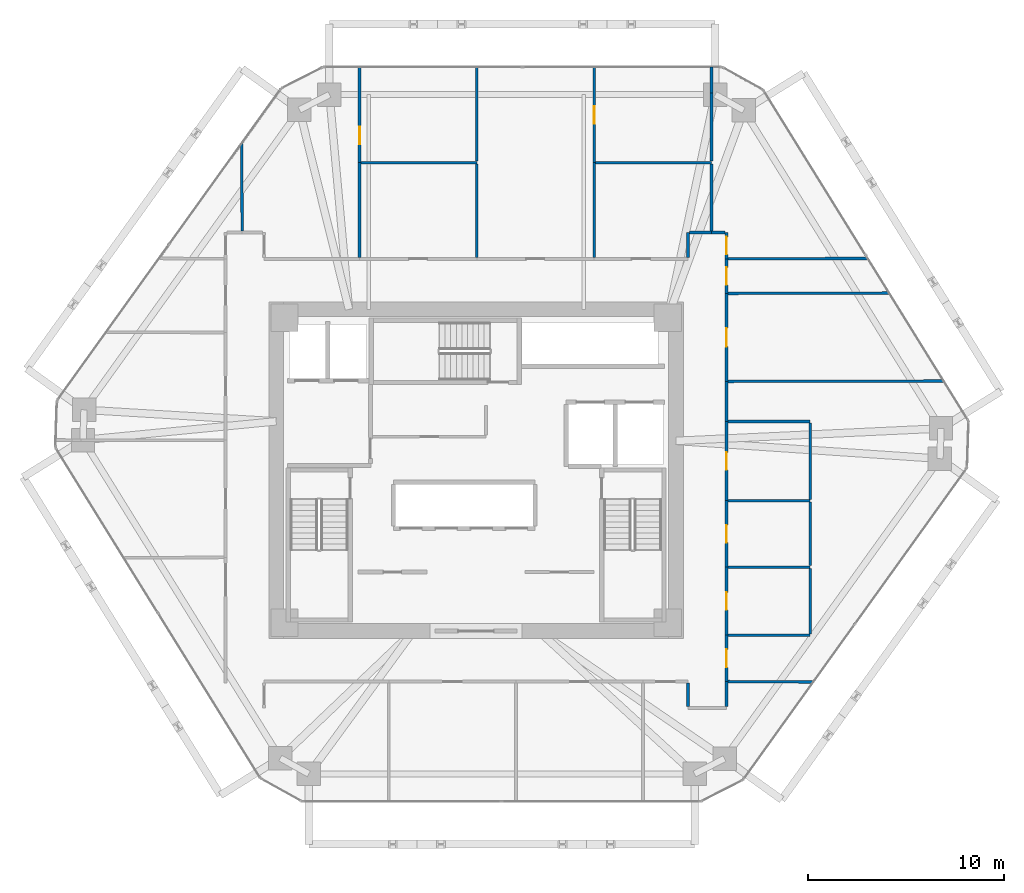
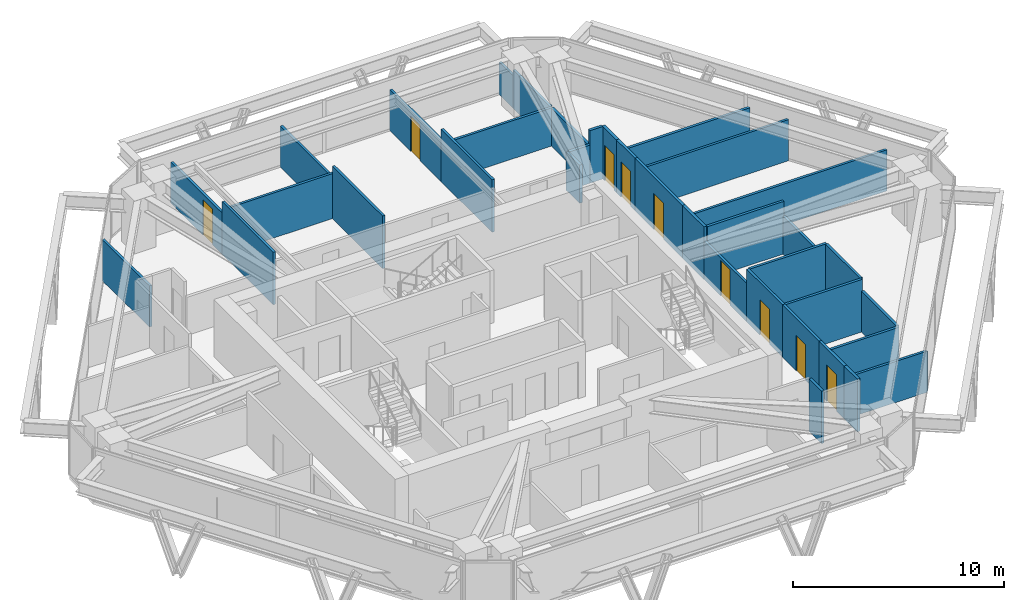
# One storey, part 12 of 14: 36 walls, 9 doors, 9 openings.
"""IFC4 building model written with IfcOpenShell, lengths in metres."""

from ifc_helpers import new_model, si_unit, direction, frame, frame_2d, origin, place, context, subcontext, project, spatial, rectangle, extrude, source, transform, mapped, material, layer, layer_set, type_object, type_shapes, element, fill, save


model = new_model("IFC4")

# Units and contexts
model_context = context("Model", 3, precision=1e-05, world=origin(), true_north=direction((0.0, 1.0)))
body_context = subcontext(model_context, "Body", "Model", "MODEL_VIEW")
ifc_project = project(units=[si_unit("LENGTHUNIT", "METRE"), si_unit("AREAUNIT", "SQUARE_METRE"), si_unit("VOLUMEUNIT", "CUBIC_METRE"), si_unit("PLANEANGLEUNIT", "RADIAN"), si_unit("MASSUNIT", "GRAM", prefix="KILO")], contexts=[model_context])

# Site, building, storey
site_placement = place(None, origin())
site = spatial("IfcSite", under=ifc_project, at=site_placement, CompositionType="ELEMENT")
building_placement = place(site_placement, origin())
building = spatial("IfcBuilding", under=site, at=building_placement, Name="Durnholm Broadcast Tower", CompositionType="ELEMENT")
storey_placement = place(building_placement, frame((0.0, 0.0, 114.0)))
storey = spatial("IfcBuildingStorey", under=building, at=storey_placement, Name="L30", CompositionType="ELEMENT", Elevation=114.0)

# Walls
ifc_material_1 = material(Name="Gypsum Metal Stud Partition", Category="concrete")
ifc_layer_1 = layer(ifc_material_1, 0.135009765625)
ifc_layer_set_1 = layer_set([ifc_layer_1], Name="Gypsum Metal Stud Partition")
wall_type_1 = type_object("IfcWallType", Name="WALL-PART-135", PredefinedType="PARTITIONING", material=ifc_layer_set_1)
wall_1_placement = place(storey_placement, frame((-11.992431640625, 16.706787109375, 0.0), z_axis=(0.0, 0.0, 1.0), x_axis=(0.007103645899, -0.999974768789, 0.0)))
element("IfcWall", 1, at=wall_1_placement, inside=storey, type_object=wall_type_1, Name="L30 room dividing partition 7.8", PredefinedType="PARTITIONING", context=body_context, shape_type="SweptSolid", body=[
    extrude(rectangle(XDim=4.4677734375, YDim=0.135009765625, at=frame_2d((2.23388671875, 0.0))), origin(), (0.0, 0.0, 1.0), 2.3798828125),
])
wall_2_placement = place(storey_placement, frame((-5.9599609375, 15.73291015625, 0.0), z_axis=(0.0, 0.0, 1.0), x_axis=(0.0, -1.0, 0.0)))
element("IfcWall", 2, at=wall_2_placement, inside=storey, type_object=wall_type_1, Name="L30 room dividing partition 8.9", PredefinedType="PARTITIONING", context=body_context, shape_type="SweptSolid", body=[
    extrude(rectangle(XDim=4.843994140625, YDim=0.135009765625, at=frame_2d((2.421875, 0.0))), origin(), (0.0, 0.0, 1.0), 3.044921875),
])

# Wall, opening, door
wall_3_placement = place(storey_placement, frame((-5.9599609375, 20.614990234375, 0.0), z_axis=(0.0, 0.0, 1.0), x_axis=(0.0, -1.0, 0.0)))
wall_3 = element("IfcWall", 3, at=wall_3_placement, inside=storey, type_object=wall_type_1, Name="L30 room dividing partition 8.10", PredefinedType="PARTITIONING", context=body_context, shape_type="SweptSolid", body=[
    extrude(rectangle(XDim=4.882080078125, YDim=0.135009765625, at=frame_2d((2.44091796875, 0.0))), origin(), (0.0, 0.0, 1.0), 2.3798828125),
])
opening_1_placement = place(wall_3_placement, frame((3.050048828125, 0.0, 0.0)))
opening_1 = element("IfcOpeningElement", 4, at=opening_1_placement, cuts=wall_3, Name="Opening DW-90L", PredefinedType="OPENING", context=body_context, shape_type="SweptSolid", body=[
    extrude(rectangle(XDim=0.89990234375, YDim=2.050048828125, at=frame_2d((0.449951171875, 1.02490234375))), frame((0.0, 0.07763671875, 0.0), z_axis=(0.0, -1.0, 0.0), x_axis=(1.0, 0.0, 0.0)), (0.0, 0.0, 1.0), 0.155029296875),
])
ifc_material_2 = material(Name="Laminate Restroom Door", Category="steel")
ifc_layer_2 = layer(ifc_material_2, 0.050048828125)
ifc_layer_set_2 = layer_set([ifc_layer_2], Name="Laminate Restroom Door")
door_type_1 = type_object("IfcDoorType", Name="DOOR-WC-900L", OperationType="NOTDEFINED", PredefinedType="DOOR", material=ifc_layer_set_2)
shared_shape_1 = source(origin(), body_context, "Body", "SweptSolid", [
    extrude(rectangle(XDim=0.89990234375, YDim=2.050048828125, at=frame_2d((0.449951171875, 1.02490234375))), frame((0.0, 0.02490234375, 0.0), z_axis=(0.0, -1.0, 0.0), x_axis=(1.0, 0.0, 0.0)), (0.0, 0.0, 1.0), 0.050048828125),
])
type_shapes(door_type_1, [shared_shape_1])
door_1_placement = place(opening_1_placement, origin())
door_1 = element("IfcDoor", 5, at=door_1_placement, inside=storey, type_object=door_type_1, Name="L30 Sales Presentation Hall connecting door", OperationType="SINGLE_SWING_LEFT", OverallHeight=2.050048828125, OverallWidth=0.89990234375, PredefinedType="DOOR", context=body_context, shape_type="MappedRepresentation", body=[
    mapped(shared_shape_1, transform((0.0, 0.0, 0.0), x_axis=(1.0, 0.0, 0.0), y_axis=(0.0, 1.0, 0.0), z_axis=(0.0, 0.0, 1.0), scale=1.0)),
])
fill(opening_1, door_1)

# Walls
wall_4_placement = place(storey_placement, frame((-5.888427734375, 15.73291015625, 0.0), z_axis=(0.0, 0.0, 1.0), x_axis=(1.0, 0.0, 0.0)))
element("IfcWall", 6, at=wall_4_placement, inside=storey, type_object=wall_type_1, Name="L30 room dividing partition 9.10", PredefinedType="PARTITIONING", context=body_context, shape_type="SweptSolid", body=[
    extrude(rectangle(XDim=5.928466796875, YDim=0.135009765625, at=frame_2d((2.96435546875, 0.0))), origin(), (0.0, 0.0, 1.0), 2.6083984375),
])
wall_5_placement = place(storey_placement, frame((0.0400390625, 15.66162109375, 0.0), z_axis=(0.0, 0.0, 1.0), x_axis=(0.0, -1.0, 0.0)))
element("IfcWall", 7, at=wall_5_placement, inside=storey, type_object=wall_type_1, Name="L30 room dividing partition 9.11", PredefinedType="PARTITIONING", context=body_context, shape_type="SweptSolid", body=[
    extrude(rectangle(XDim=4.772705078125, YDim=0.135009765625, at=frame_2d((2.38623046875, 0.0))), origin(), (0.0, 0.0, 1.0), 3.044921875),
])
wall_6_placement = place(storey_placement, frame((0.0400390625, 20.614990234375, 0.0), z_axis=(0.0, 0.0, 1.0), x_axis=(0.0, -1.0, 0.0)))
element("IfcWall", 8, at=wall_6_placement, inside=storey, type_object=wall_type_1, Name="L30 room dividing partition 10.11", PredefinedType="PARTITIONING", context=body_context, shape_type="SweptSolid", body=[
    extrude(rectangle(XDim=4.810546875, YDim=0.135009765625, at=frame_2d((2.4052734375, 0.0))), origin(), (0.0, 0.0, 1.0), 2.3798828125),
])
wall_7_placement = place(storey_placement, frame((6.0400390625, 15.73291015625, 0.0), z_axis=(0.0, 0.0, 1.0), x_axis=(0.0, -1.0, 0.0)))
element("IfcWall", 9, at=wall_7_placement, inside=storey, type_object=wall_type_1, Name="L30 room dividing partition 11.12", PredefinedType="PARTITIONING", context=body_context, shape_type="SweptSolid", body=[
    extrude(rectangle(XDim=4.843994140625, YDim=0.135009765625, at=frame_2d((2.421875, 0.0))), origin(), (0.0, 0.0, 1.0), 3.044921875),
])

# Wall, opening, door
wall_8_placement = place(storey_placement, frame((6.0400390625, 20.614990234375, 0.0), z_axis=(0.0, 0.0, 1.0), x_axis=(0.0, -1.0, 0.0)))
wall_8 = element("IfcWall", 10, at=wall_8_placement, inside=storey, type_object=wall_type_1, Name="L30 room dividing partition 11.13", PredefinedType="PARTITIONING", context=body_context, shape_type="SweptSolid", body=[
    extrude(rectangle(XDim=4.882080078125, YDim=0.135009765625, at=frame_2d((2.44091796875, 0.0))), origin(), (0.0, 0.0, 1.0), 2.3798828125),
])
opening_2_placement = place(wall_8_placement, frame((1.990966796875, 0.0, 0.0)))
opening_2 = element("IfcOpeningElement", 11, at=opening_2_placement, cuts=wall_8, Name="Opening DW-90L", PredefinedType="OPENING", context=body_context, shape_type="SweptSolid", body=[
    extrude(rectangle(XDim=0.89990234375, YDim=2.050048828125, at=frame_2d((0.449951171875, 1.02490234375))), frame((0.0, 0.07763671875, 0.0), z_axis=(0.0, -1.0, 0.0), x_axis=(1.0, 0.0, 0.0)), (0.0, 0.0, 1.0), 0.155029296875),
])
door_2_placement = place(opening_2_placement, origin())
door_2 = element("IfcDoor", 12, at=door_2_placement, inside=storey, type_object=door_type_1, Name="L30 Account Lounge connecting door", OperationType="SINGLE_SWING_LEFT", OverallHeight=2.050048828125, OverallWidth=0.89990234375, PredefinedType="DOOR", context=body_context, shape_type="MappedRepresentation", body=[
    mapped(shared_shape_1, transform((0.0, 0.0, 0.0), x_axis=(1.0, 0.0, 0.0), y_axis=(0.0, 1.0, 0.0), z_axis=(0.0, 0.0, 1.0), scale=1.0)),
])
fill(opening_2, door_2)

# Walls
wall_9_placement = place(storey_placement, frame((6.111572265625, 15.73291015625, 0.0), z_axis=(0.0, 0.0, 1.0), x_axis=(1.0, 0.0, 0.0)))
element("IfcWall", 13, at=wall_9_placement, inside=storey, type_object=wall_type_1, Name="L30 room dividing partition 12.13", PredefinedType="PARTITIONING", context=body_context, shape_type="SweptSolid", body=[
    extrude(rectangle(XDim=5.928466796875, YDim=0.135009765625, at=frame_2d((2.96435546875, 0.0))), origin(), (0.0, 0.0, 1.0), 2.212158203125),
])
wall_10_placement = place(storey_placement, frame((12.0400390625, 15.66162109375, 0.0), z_axis=(0.0, 0.0, 1.0), x_axis=(0.0, -1.0, 0.0)))
element("IfcWall", 14, at=wall_10_placement, inside=storey, type_object=wall_type_1, Name="L30 room dividing partition 12.14", PredefinedType="PARTITIONING", context=body_context, shape_type="SweptSolid", body=[
    extrude(rectangle(XDim=3.422607421875, YDim=0.135009765625, at=frame_2d((1.71142578125, 0.0))), origin(), (0.0, 0.0, 1.0), 2.212158203125),
])
wall_11_placement = place(storey_placement, frame((12.0400390625, 19.299072265625, 0.0), z_axis=(0.0, 0.0, 1.0), x_axis=(0.0, -1.0, 0.0)))
element("IfcWall", 15, at=wall_11_placement, inside=storey, type_object=wall_type_1, Name="L30 room dividing partition 13.14", PredefinedType="PARTITIONING", context=body_context, shape_type="SweptSolid", body=[
    extrude(rectangle(XDim=3.49462890625, YDim=0.135009765625, at=frame_2d((1.747314453125, 0.0))), origin(), (0.0, 0.0, 1.0), 2.212158203125),
])
wall_12_placement = place(storey_placement, frame((12.0400390625, 20.614990234375, 0.0), z_axis=(0.0, 0.0, 1.0), x_axis=(0.0, -1.0, 0.0)))
element("IfcWall", 16, at=wall_12_placement, inside=storey, type_object=wall_type_1, Name="L30 room dividing partition 13.14", PredefinedType="PARTITIONING", context=body_context, shape_type="SweptSolid", body=[
    extrude(rectangle(XDim=1.31591796875, YDim=0.135009765625, at=frame_2d((0.657958984375, 0.0))), origin(), (0.0, 0.0, 1.0), 1.877197265625),
])
wall_13_placement = place(storey_placement, frame((20.03515625, 10.8310546875, 0.0), z_axis=(0.0, 0.0, 1.0), x_axis=(-0.999995783715, -0.002903885812, 0.0)))
element("IfcWall", 17, at=wall_13_placement, inside=storey, type_object=wall_type_1, Name="L30 room dividing partition 14.25", PredefinedType="PARTITIONING", context=body_context, shape_type="SweptSolid", body=[
    extrude(rectangle(XDim=7.146240234375, YDim=0.135009765625, at=frame_2d((3.5732421875, 0.0))), origin(), (0.0, 0.0, 1.0), 2.3798828125),
])
wall_14_placement = place(storey_placement, frame((12.888916015625, -10.810302734375, 0.0), z_axis=(0.0, 0.0, 1.0), x_axis=(0.999986140562, -0.005264853658, 0.0)))
element("IfcWall", 18, at=wall_14_placement, inside=storey, type_object=wall_type_1, Name="L30 room dividing partition 18.23", PredefinedType="PARTITIONING", context=body_context, shape_type="SweptSolid", body=[
    extrude(rectangle(XDim=4.35888671875, YDim=0.135009765625, at=frame_2d((2.179443359375, 0.0))), origin(), (0.0, 0.0, 1.0), 2.3798828125),
])
wall_15_placement = place(storey_placement, frame((12.888916015625, 4.5400390625, 0.0), z_axis=(0.0, 0.0, 1.0), x_axis=(0.999998190037, 0.00190260933, 0.0)))
element("IfcWall", 19, at=wall_15_placement, inside=storey, type_object=wall_type_1, Name="L30 room dividing partition 23.24", PredefinedType="PARTITIONING", context=body_context, shape_type="SweptSolid", body=[
    extrude(rectangle(XDim=11.035400390625, YDim=0.135009765625, at=frame_2d((5.517578125, 0.0))), origin(), (0.0, 0.0, 1.0), 2.3798828125),
])
wall_16_placement = place(storey_placement, frame((12.888916015625, 9.040283203125, 0.0), z_axis=(0.0, 0.0, 1.0), x_axis=(0.999996831927, 0.00251716805, 0.0)))
element("IfcWall", 20, at=wall_16_placement, inside=storey, type_object=wall_type_1, Name="L30 room dividing partition 24.25", PredefinedType="PARTITIONING", context=body_context, shape_type="SweptSolid", body=[
    extrude(rectangle(XDim=8.244140625, YDim=0.135009765625, at=frame_2d((4.1220703125, 0.0))), origin(), (0.0, 0.0, 1.0), 2.3798828125),
])
ifc_material_3 = material(Name="Acoustic Gypsum Stud Partition", Category="concrete")
ifc_layer_3 = layer(ifc_material_3, 0.14990234375)
ifc_layer_set_3 = layer_set([ifc_layer_3], Name="Acoustic Gypsum Stud Partition")
wall_type_2 = type_object("IfcWallType", Name="WALL-PART-150", PredefinedType="PARTITIONING", material=ifc_layer_set_3)
wall_17_placement = place(storey_placement, frame((10.840087890625, 12.159912109375, 0.0), z_axis=(0.0, 0.0, 1.0), x_axis=(0.0, -1.0, 0.0)))
element("IfcWall", 21, at=wall_17_placement, inside=storey, type_object=wall_type_2, Name="L30 Hospitality Kitchen corridor partition", PredefinedType="PARTITIONING", context=body_context, shape_type="SweptSolid", body=[
    extrude(rectangle(XDim=1.27099609375, YDim=0.14990234375, at=frame_2d((0.635498046875, 0.0))), origin(), (0.0, 0.0, 1.0), 2.212158203125),
])
wall_18_placement = place(storey_placement, frame((12.0400390625, 12.159912109375, 0.0), z_axis=(0.0, 0.0, 1.0), x_axis=(-1.0, 0.0, 0.0)))
element("IfcWall", 22, at=wall_18_placement, inside=storey, type_object=wall_type_2, Name="L30 Hospitality Kitchen corridor partition", PredefinedType="PARTITIONING", context=body_context, shape_type="SweptSolid", body=[
    extrude(rectangle(XDim=1.12109375, YDim=0.14990234375, at=frame_2d((0.560546875, 0.0))), origin(), (0.0, 0.0, 1.0), 2.212158203125),
])

# Wall, opening, door
wall_19_placement = place(storey_placement, frame((12.81005859375, 10.81005859375, 0.0), z_axis=(0.0, 0.0, 1.0), x_axis=(0.0, 1.0, 0.0)))
wall_19 = element("IfcWall", 23, at=wall_19_placement, inside=storey, type_object=wall_type_2, Name="L30 Preview Meeting Room corridor partition", PredefinedType="PARTITIONING", context=body_context, shape_type="SweptSolid", body=[
    extrude(rectangle(XDim=1.349853515625, YDim=0.14990234375, at=frame_2d((0.6748046875, 0.0))), origin(), (0.0, 0.0, 1.0), 3.044921875),
])
opening_3_placement = place(wall_19_placement, frame((0.22509765625, 0.0, 0.0)))
opening_3 = element("IfcOpeningElement", 24, at=opening_3_placement, cuts=wall_19, Name="Opening DW-90R", PredefinedType="OPENING", context=body_context, shape_type="SweptSolid", body=[
    extrude(rectangle(XDim=0.89990234375, YDim=2.050048828125, at=frame_2d((0.449951171875, 1.02490234375))), frame((0.0, 0.0849609375, 0.0), z_axis=(0.0, -1.0, 0.0), x_axis=(1.0, 0.0, 0.0)), (0.0, 0.0, 1.0), 0.169921875),
])
ifc_layer_4 = layer(ifc_material_2, 0.050048828125)
ifc_layer_set_4 = layer_set([ifc_layer_4], Name="Laminate Restroom Door")
door_type_2 = type_object("IfcDoorType", Name="DOOR-WC-900R", OperationType="NOTDEFINED", PredefinedType="DOOR", material=ifc_layer_set_4)
shared_shape_2 = source(origin(), body_context, "Body", "SweptSolid", [
    extrude(rectangle(XDim=0.89990234375, YDim=2.050048828125, at=frame_2d((0.449951171875, 1.02490234375))), frame((0.0, 0.02490234375, 0.0), z_axis=(0.0, -1.0, 0.0), x_axis=(1.0, 0.0, 0.0)), (0.0, 0.0, 1.0), 0.050048828125),
])
type_shapes(door_type_2, [shared_shape_2])
door_3_placement = place(opening_3_placement, origin())
door_3 = element("IfcDoor", 25, at=door_3_placement, inside=storey, type_object=door_type_2, Name="L30 Preview Meeting Room entrance door", OperationType="SINGLE_SWING_RIGHT", OverallHeight=2.050048828125, OverallWidth=0.89990234375, PredefinedType="DOOR", context=body_context, shape_type="MappedRepresentation", body=[
    mapped(shared_shape_2, transform((0.0, 0.0, 0.0), x_axis=(1.0, 0.0, 0.0), y_axis=(0.0, 1.0, 0.0), z_axis=(0.0, 0.0, 1.0), scale=1.0)),
])
fill(opening_3, door_3)

# Walls
wall_20_placement = place(storey_placement, frame((12.73095703125, 12.159912109375, 0.0), z_axis=(0.0, 0.0, 1.0), x_axis=(-1.0, 0.0, 0.0)))
element("IfcWall", 26, at=wall_20_placement, inside=storey, type_object=wall_type_2, Name="L30 Preview Meeting Room corridor partition", PredefinedType="PARTITIONING", context=body_context, shape_type="SweptSolid", body=[
    extrude(rectangle(XDim=0.69091796875, YDim=0.14990234375, at=frame_2d((0.345458984375, 0.0))), origin(), (0.0, 0.0, 1.0), 3.044921875),
])
wall_21_placement = place(storey_placement, frame((10.840087890625, -10.888916015625, 0.0), z_axis=(0.0, 0.0, 1.0), x_axis=(0.0, -1.0, 0.0)))
element("IfcWall", 27, at=wall_21_placement, inside=storey, type_object=wall_type_2, Name="L30 Open Plan Broadcast Workspace 1 corridor partition", PredefinedType="PARTITIONING", context=body_context, shape_type="SweptSolid", body=[
    extrude(rectangle(XDim=1.192138671875, YDim=0.14990234375, at=frame_2d((0.59619140625, 0.0))), origin(), (0.0, 0.0, 1.0), 3.044921875),
])
wall_22_placement = place(storey_placement, frame((12.81005859375, -12.0810546875, 0.0), z_axis=(0.0, 0.0, 1.0), x_axis=(0.0, 1.0, 0.0)))
element("IfcWall", 28, at=wall_22_placement, inside=storey, type_object=wall_type_2, Name="L30 Open Plan Broadcast Workspace 1 corridor partition", PredefinedType="PARTITIONING", context=body_context, shape_type="SweptSolid", body=[
    extrude(rectangle(XDim=1.27099609375, YDim=0.14990234375, at=frame_2d((0.635498046875, 0.0))), origin(), (0.0, 0.0, 1.0), 3.044921875),
])

# Wall, opening, door
wall_23_placement = place(storey_placement, frame((12.81005859375, -10.81005859375, 0.0), z_axis=(0.0, 0.0, 1.0), x_axis=(0.0, 1.0, 0.0)))
wall_23 = element("IfcWall", 29, at=wall_23_placement, inside=storey, type_object=wall_type_2, Name="L30 Open Plan Broadcast Workspace 6 corridor partition", PredefinedType="PARTITIONING", context=body_context, shape_type="SweptSolid", body=[
    extrude(rectangle(XDim=2.3701171875, YDim=0.14990234375, at=frame_2d((1.18505859375, 0.0))), origin(), (0.0, 0.0, 1.0), 3.044921875),
])
opening_4_placement = place(wall_23_placement, frame((0.72509765625, 0.0, 0.0)))
opening_4 = element("IfcOpeningElement", 30, at=opening_4_placement, cuts=wall_23, Name="Opening DR-92L", PredefinedType="OPENING", context=body_context, shape_type="SweptSolid", body=[
    extrude(rectangle(XDim=0.919921875, YDim=2.10009765625, at=frame_2d((0.4599609375, 1.050048828125))), frame((0.0, 0.0849609375, 0.0), z_axis=(0.0, -1.0, 0.0), x_axis=(1.0, 0.0, 0.0)), (0.0, 0.0, 1.0), 0.169921875),
])
ifc_material_4 = material(Name="Oak Veneer Office Door", Category="wood")
ifc_layer_5 = layer(ifc_material_4, 0.050048828125)
ifc_layer_set_5 = layer_set([ifc_layer_5], Name="Oak Veneer Office Door")
door_type_3 = type_object("IfcDoorType", Name="DOOR-RM-920L", OperationType="NOTDEFINED", PredefinedType="DOOR", material=ifc_layer_set_5)
shared_shape_3 = source(origin(), body_context, "Body", "SweptSolid", [
    extrude(rectangle(XDim=0.919921875, YDim=2.10009765625, at=frame_2d((0.4599609375, 1.050048828125))), frame((0.0, 0.02490234375, 0.0), z_axis=(0.0, -1.0, 0.0), x_axis=(1.0, 0.0, 0.0)), (0.0, 0.0, 1.0), 0.050048828125),
])
type_shapes(door_type_3, [shared_shape_3])
door_4_placement = place(opening_4_placement, origin())
door_4 = element("IfcDoor", 31, at=door_4_placement, inside=storey, type_object=door_type_3, Name="L30 Open Plan Broadcast Workspace 6 entrance door", OperationType="SINGLE_SWING_LEFT", OverallHeight=2.10009765625, OverallWidth=0.919921875, PredefinedType="DOOR", context=body_context, shape_type="MappedRepresentation", body=[
    mapped(shared_shape_3, transform((0.0, 0.0, 0.0), x_axis=(1.0, 0.0, 0.0), y_axis=(0.0, 1.0, 0.0), z_axis=(0.0, 0.0, 1.0), scale=1.0)),
])
fill(opening_4, door_4)

# Wall
wall_24_placement = place(storey_placement, frame((12.81005859375, 2.489990234375, 0.0), z_axis=(0.0, 0.0, 1.0), x_axis=(0.0, 1.0, 0.0)))
element("IfcWall", 32, at=wall_24_placement, inside=storey, type_object=wall_type_2, Name="L30 Open Plan Broadcast Workspace 6 corridor partition", PredefinedType="PARTITIONING", context=body_context, shape_type="SweptSolid", body=[
    extrude(rectangle(XDim=2.050048828125, YDim=0.14990234375, at=frame_2d((1.02490234375, 0.0))), origin(), (0.0, 0.0, 1.0), 3.044921875),
])

# Wall, opening, door
wall_25_placement = place(storey_placement, frame((12.81005859375, 4.5400390625, 0.0), z_axis=(0.0, 0.0, 1.0), x_axis=(0.0, 1.0, 0.0)))
wall_25 = element("IfcWall", 33, at=wall_25_placement, inside=storey, type_object=wall_type_2, Name="L30 Media Lounge corridor partition", PredefinedType="PARTITIONING", context=body_context, shape_type="SweptSolid", body=[
    extrude(rectangle(XDim=4.5, YDim=0.14990234375, at=frame_2d((2.25, 0.0))), origin(), (0.0, 0.0, 1.0), 3.044921875),
])
opening_5_placement = place(wall_25_placement, frame((1.77490234375, 0.0, 0.0)))
opening_5 = element("IfcOpeningElement", 34, at=opening_5_placement, cuts=wall_25, Name="Opening DR-95R", PredefinedType="OPENING", context=body_context, shape_type="SweptSolid", body=[
    extrude(rectangle(XDim=0.949951171875, YDim=2.10009765625, at=frame_2d((0.47509765625, 1.050048828125))), frame((0.0, 0.0849609375, 0.0), z_axis=(0.0, -1.0, 0.0), x_axis=(1.0, 0.0, 0.0)), (0.0, 0.0, 1.0), 0.169921875),
])
ifc_material_5 = material(Name="Acoustic Oak Veneer Timber Door", Category="wood")
ifc_layer_6 = layer(ifc_material_5, 0.050048828125)
ifc_layer_set_6 = layer_set([ifc_layer_6], Name="Acoustic Oak Veneer Timber Door")
door_type_4 = type_object("IfcDoorType", Name="DOOR-RM-950R", OperationType="NOTDEFINED", PredefinedType="DOOR", material=ifc_layer_set_6)
shared_shape_4 = source(origin(), body_context, "Body", "SweptSolid", [
    extrude(rectangle(XDim=0.949951171875, YDim=2.10009765625, at=frame_2d((0.47509765625, 1.050048828125))), frame((0.0, 0.02490234375, 0.0), z_axis=(0.0, -1.0, 0.0), x_axis=(1.0, 0.0, 0.0)), (0.0, 0.0, 1.0), 0.050048828125),
])
type_shapes(door_type_4, [shared_shape_4])
door_5_placement = place(opening_5_placement, origin())
door_5 = element("IfcDoor", 35, at=door_5_placement, inside=storey, type_object=door_type_4, Name="L30 Media Lounge entrance door", OperationType="SINGLE_SWING_RIGHT", OverallHeight=2.10009765625, OverallWidth=0.949951171875, PredefinedType="DOOR", context=body_context, shape_type="MappedRepresentation", body=[
    mapped(shared_shape_4, transform((0.0, 0.0, 0.0), x_axis=(1.0, 0.0, 0.0), y_axis=(0.0, 1.0, 0.0), z_axis=(0.0, 0.0, 1.0), scale=1.0)),
])
fill(opening_5, door_5)

wall_26_placement = place(storey_placement, frame((12.81005859375, 9.0400390625, 0.0), z_axis=(0.0, 0.0, 1.0), x_axis=(0.0, 1.0, 0.0)))
wall_26 = element("IfcWall", 36, at=wall_26_placement, inside=storey, type_object=wall_type_2, Name="L30 Syndication Meeting Room 1 corridor partition", PredefinedType="PARTITIONING", context=body_context, shape_type="SweptSolid", body=[
    extrude(rectangle(XDim=1.77001953125, YDim=0.14990234375, at=frame_2d((0.885009765625, 0.0))), origin(), (0.0, 0.0, 1.0), 3.044921875),
])
opening_6_placement = place(wall_26_placement, frame((0.43505859375, 0.0, 0.0)))
opening_6 = element("IfcOpeningElement", 37, at=opening_6_placement, cuts=wall_26, Name="Opening DW-90L", PredefinedType="OPENING", context=body_context, shape_type="SweptSolid", body=[
    extrude(rectangle(XDim=0.89990234375, YDim=2.050048828125, at=frame_2d((0.449951171875, 1.02490234375))), frame((0.0, 0.0849609375, 0.0), z_axis=(0.0, -1.0, 0.0), x_axis=(1.0, 0.0, 0.0)), (0.0, 0.0, 1.0), 0.169921875),
])
door_6_placement = place(opening_6_placement, origin())
door_6 = element("IfcDoor", 38, at=door_6_placement, inside=storey, type_object=door_type_1, Name="L30 Syndication Meeting Room 1 entrance door", OperationType="SINGLE_SWING_LEFT", OverallHeight=2.050048828125, OverallWidth=0.89990234375, PredefinedType="DOOR", context=body_context, shape_type="MappedRepresentation", body=[
    mapped(shared_shape_1, transform((0.0, 0.0, 0.0), x_axis=(1.0, 0.0, 0.0), y_axis=(0.0, 1.0, 0.0), z_axis=(0.0, 0.0, 1.0), scale=1.0)),
])
fill(opening_6, door_6)

ifc_material_6 = material(Name="Moisture-Resistant Tile Partition", Category="concrete")
ifc_layer_7 = layer(ifc_material_6, 0.139892578125)
ifc_layer_set_7 = layer_set([ifc_layer_7], Name="Moisture-Resistant Tile Partition")
wall_type_3 = type_object("IfcWallType", Name="WALL-WC-140", PredefinedType="PARTITIONING", material=ifc_layer_set_7)
wall_27_placement = place(storey_placement, frame((12.81005859375, -8.43994140625, 0.0), z_axis=(0.0, 0.0, 1.0), x_axis=(0.0, 1.0, 0.0)))
wall_27 = element("IfcWall", 39, at=wall_27_placement, inside=storey, type_object=wall_type_3, Name="L30 Men's Restroom corridor partition", PredefinedType="PARTITIONING", context=body_context, shape_type="SweptSolid", body=[
    extrude(rectangle(XDim=3.47998046875, YDim=0.139892578125, at=frame_2d((1.739990234375, 0.0))), origin(), (0.0, 0.0, 1.0), 3.044921875),
])
opening_7_placement = place(wall_27_placement, frame((1.2900390625, 0.0, 0.0)))
opening_7 = element("IfcOpeningElement", 40, at=opening_7_placement, cuts=wall_27, Name="Opening DW-90R", PredefinedType="OPENING", context=body_context, shape_type="SweptSolid", body=[
    extrude(rectangle(XDim=0.89990234375, YDim=2.050048828125, at=frame_2d((0.449951171875, 1.02490234375))), frame((0.0, 0.080078125, 0.0), z_axis=(0.0, -1.0, 0.0), x_axis=(1.0, 0.0, 0.0)), (0.0, 0.0, 1.0), 0.159912109375),
])
door_7_placement = place(opening_7_placement, origin())
door_7 = element("IfcDoor", 41, at=door_7_placement, inside=storey, type_object=door_type_2, Name="L30 Men's Restroom entrance door", OperationType="SINGLE_SWING_RIGHT", OverallHeight=2.050048828125, OverallWidth=0.89990234375, PredefinedType="DOOR", context=body_context, shape_type="MappedRepresentation", body=[
    mapped(shared_shape_2, transform((0.0, 0.0, 0.0), x_axis=(1.0, 0.0, 0.0), y_axis=(0.0, 1.0, 0.0), z_axis=(0.0, 0.0, 1.0), scale=1.0)),
])
fill(opening_7, door_7)

wall_28_placement = place(storey_placement, frame((12.81005859375, -4.9599609375, 0.0), z_axis=(0.0, 0.0, 1.0), x_axis=(0.0, 1.0, 0.0)))
wall_28 = element("IfcWall", 42, at=wall_28_placement, inside=storey, type_object=wall_type_3, Name="L30 Women's Restroom corridor partition", PredefinedType="PARTITIONING", context=body_context, shape_type="SweptSolid", body=[
    extrude(rectangle(XDim=3.39990234375, YDim=0.139892578125, at=frame_2d((1.699951171875, 0.0))), origin(), (0.0, 0.0, 1.0), 3.044921875),
])
opening_8_placement = place(wall_28_placement, frame((1.25, 0.0, 0.0)))
opening_8 = element("IfcOpeningElement", 43, at=opening_8_placement, cuts=wall_28, Name="Opening DW-90L", PredefinedType="OPENING", context=body_context, shape_type="SweptSolid", body=[
    extrude(rectangle(XDim=0.89990234375, YDim=2.050048828125, at=frame_2d((0.449951171875, 1.02490234375))), frame((0.0, 0.080078125, 0.0), z_axis=(0.0, -1.0, 0.0), x_axis=(1.0, 0.0, 0.0)), (0.0, 0.0, 1.0), 0.159912109375),
])
door_8_placement = place(opening_8_placement, origin())
door_8 = element("IfcDoor", 44, at=door_8_placement, inside=storey, type_object=door_type_1, Name="L30 Women's Restroom entrance door", OperationType="SINGLE_SWING_LEFT", OverallHeight=2.050048828125, OverallWidth=0.89990234375, PredefinedType="DOOR", context=body_context, shape_type="MappedRepresentation", body=[
    mapped(shared_shape_1, transform((0.0, 0.0, 0.0), x_axis=(1.0, 0.0, 0.0), y_axis=(0.0, 1.0, 0.0), z_axis=(0.0, 0.0, 1.0), scale=1.0)),
])
fill(opening_8, door_8)

wall_29_placement = place(storey_placement, frame((12.81005859375, -1.56005859375, 0.0), z_axis=(0.0, 0.0, 1.0), x_axis=(0.0, 1.0, 0.0)))
wall_29 = element("IfcWall", 45, at=wall_29_placement, inside=storey, type_object=wall_type_3, Name="L30 Accessible Restroom corridor partition", PredefinedType="PARTITIONING", context=body_context, shape_type="SweptSolid", body=[
    extrude(rectangle(XDim=4.050048828125, YDim=0.139892578125, at=frame_2d((2.02490234375, 0.0))), origin(), (0.0, 0.0, 1.0), 2.212158203125),
])
opening_9_placement = place(wall_29_placement, frame((1.574951171875, 0.0, 0.0)))
opening_9 = element("IfcOpeningElement", 46, at=opening_9_placement, cuts=wall_29, Name="Opening DW-90R", PredefinedType="OPENING", context=body_context, shape_type="SweptSolid", body=[
    extrude(rectangle(XDim=0.89990234375, YDim=2.050048828125, at=frame_2d((0.449951171875, 1.02490234375))), frame((0.0, 0.080078125, 0.0), z_axis=(0.0, -1.0, 0.0), x_axis=(1.0, 0.0, 0.0)), (0.0, 0.0, 1.0), 0.159912109375),
])
door_9_placement = place(opening_9_placement, origin())
door_9 = element("IfcDoor", 47, at=door_9_placement, inside=storey, type_object=door_type_2, Name="L30 Accessible Restroom entrance door", OperationType="SINGLE_SWING_RIGHT", OverallHeight=2.050048828125, OverallWidth=0.89990234375, PredefinedType="DOOR", context=body_context, shape_type="MappedRepresentation", body=[
    mapped(shared_shape_2, transform((0.0, 0.0, 0.0), x_axis=(1.0, 0.0, 0.0), y_axis=(0.0, 1.0, 0.0), z_axis=(0.0, 0.0, 1.0), scale=1.0)),
])
fill(opening_9, door_9)

# Walls
wall_30_placement = place(storey_placement, frame((12.884033203125, -4.9599609375, 0.0), z_axis=(0.0, 0.0, 1.0), x_axis=(1.0, 0.0, 0.0)))
element("IfcWall", 48, at=wall_30_placement, inside=storey, type_object=wall_type_3, Name="L30 room dividing partition 4.5", PredefinedType="PARTITIONING", context=body_context, shape_type="SweptSolid", body=[
    extrude(rectangle(XDim=4.2060546875, YDim=0.139892578125, at=frame_2d((2.10302734375, 0.0))), origin(), (0.0, 0.0, 1.0), 3.044921875),
])
wall_31_placement = place(storey_placement, frame((17.090087890625, -8.43994140625, 0.0), z_axis=(0.0, 0.0, 1.0), x_axis=(-1.0, 0.0, 0.0)))
element("IfcWall", 49, at=wall_31_placement, inside=storey, type_object=wall_type_3, Name="L30 room dividing partition 4.23", PredefinedType="PARTITIONING", context=body_context, shape_type="SweptSolid", body=[
    extrude(rectangle(XDim=4.201171875, YDim=0.139892578125, at=frame_2d((2.1005859375, 0.0))), origin(), (0.0, 0.0, 1.0), 2.3798828125),
])
wall_32_placement = place(storey_placement, frame((17.090087890625, -5.033935546875, 0.0), z_axis=(0.0, 0.0, 1.0), x_axis=(0.0, -1.0, 0.0)))
element("IfcWall", 50, at=wall_32_placement, inside=storey, type_object=wall_type_3, Name="L30 room dividing partition 4.23", PredefinedType="PARTITIONING", context=body_context, shape_type="SweptSolid", body=[
    extrude(rectangle(XDim=3.33203125, YDim=0.139892578125, at=frame_2d((1.666015625, 0.0))), origin(), (0.0, 0.0, 1.0), 2.3798828125),
])
wall_33_placement = place(storey_placement, frame((12.884033203125, -1.56005859375, 0.0), z_axis=(0.0, 0.0, 1.0), x_axis=(1.0, 0.0, 0.0)))
element("IfcWall", 51, at=wall_33_placement, inside=storey, type_object=wall_type_3, Name="L30 room dividing partition 5.6", PredefinedType="PARTITIONING", context=body_context, shape_type="SweptSolid", body=[
    extrude(rectangle(XDim=4.2060546875, YDim=0.139892578125, at=frame_2d((2.10302734375, 0.0))), origin(), (0.0, 0.0, 1.0), 3.044921875),
])
wall_34_placement = place(storey_placement, frame((17.090087890625, -1.634033203125, 0.0), z_axis=(0.0, 0.0, 1.0), x_axis=(0.0, -1.0, 0.0)))
element("IfcWall", 52, at=wall_34_placement, inside=storey, type_object=wall_type_3, Name="L30 room dividing partition 5.23", PredefinedType="PARTITIONING", context=body_context, shape_type="SweptSolid", body=[
    extrude(rectangle(XDim=3.251953125, YDim=0.139892578125, at=frame_2d((1.6259765625, 0.0))), origin(), (0.0, 0.0, 1.0), 3.044921875),
])
wall_35_placement = place(storey_placement, frame((12.888916015625, 2.489990234375, 0.0), z_axis=(0.0, 0.0, 1.0), x_axis=(1.0, 0.0, 0.0)))
element("IfcWall", 53, at=wall_35_placement, inside=storey, type_object=wall_type_3, Name="L30 room dividing partition 6.23", PredefinedType="PARTITIONING", context=body_context, shape_type="SweptSolid", body=[
    extrude(rectangle(XDim=4.201171875, YDim=0.139892578125, at=frame_2d((2.1005859375, 0.0))), origin(), (0.0, 0.0, 1.0), 3.044921875),
])
wall_36_placement = place(storey_placement, frame((17.090087890625, 2.416015625, 0.0), z_axis=(0.0, 0.0, 1.0), x_axis=(0.0, -1.0, 0.0)))
element("IfcWall", 54, at=wall_36_placement, inside=storey, type_object=wall_type_3, Name="L30 room dividing partition 6.23", PredefinedType="PARTITIONING", context=body_context, shape_type="SweptSolid", body=[
    extrude(rectangle(XDim=3.902099609375, YDim=0.139892578125, at=frame_2d((1.951171875, 0.0))), origin(), (0.0, 0.0, 1.0), 2.212158203125),
])

save(model, "model.ifc")
